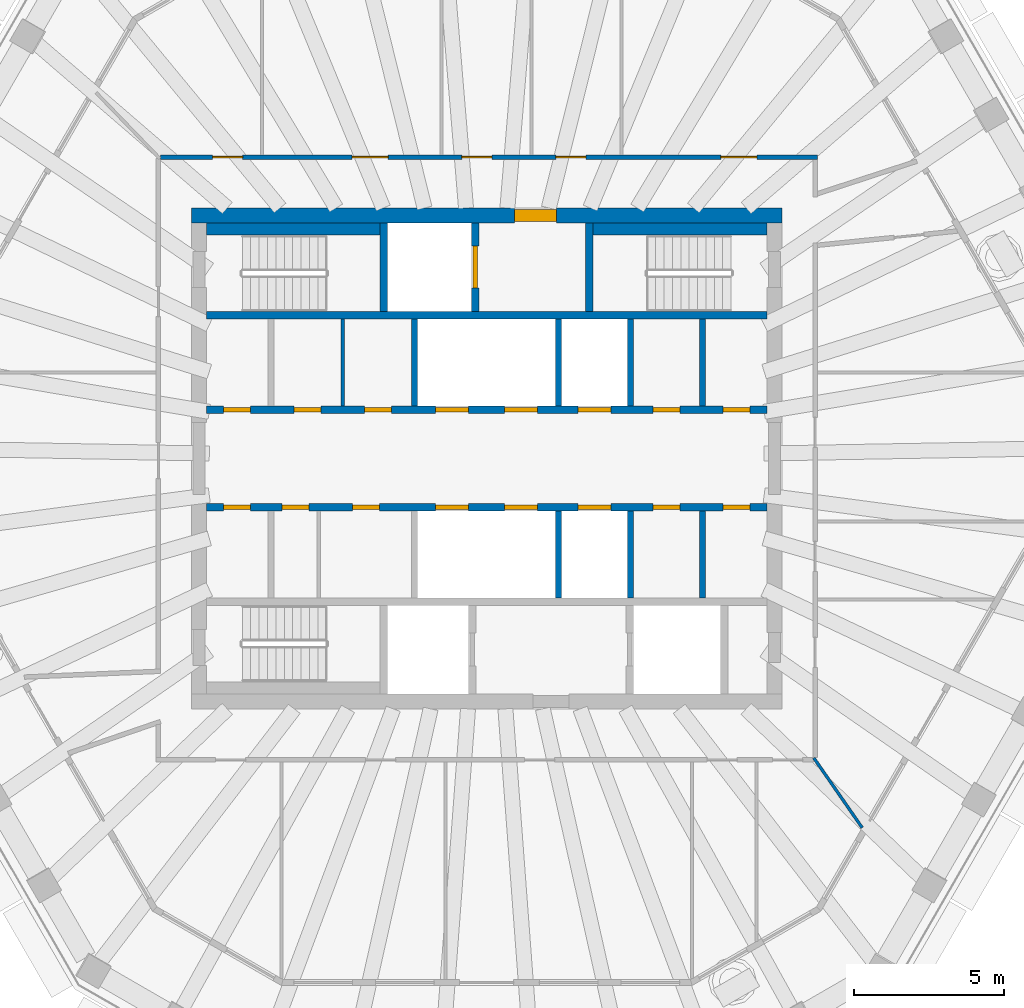
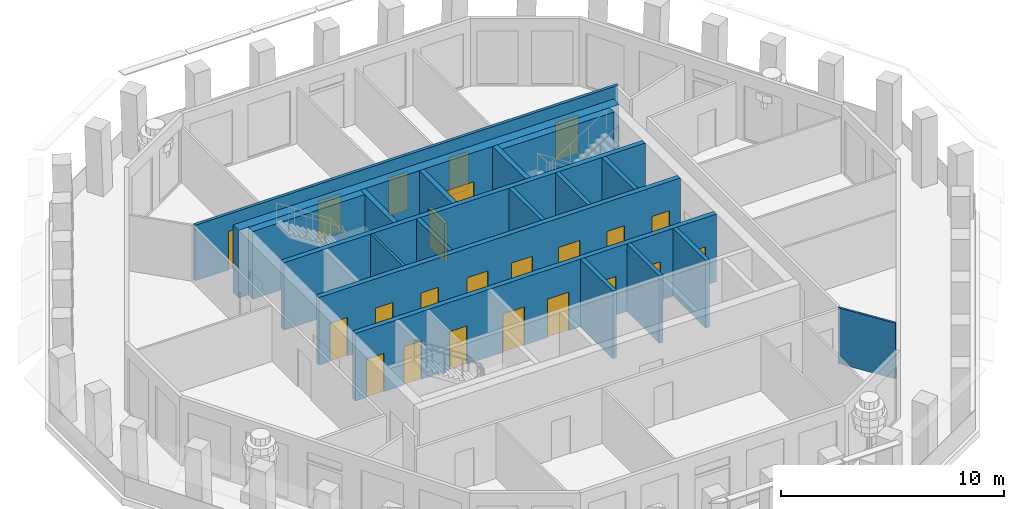
# One storey, part 5 of 11: 23 doors, 19 walls, 23 openings.
"""IFC4 building model written with IfcOpenShell, lengths in metres."""

from ifc_helpers import new_model, si_unit, direction, frame, frame_2d, origin, place, context, subcontext, project, spatial, rectangle, extrude, material, layer, layer_set, type_object, element, fill, save


model = new_model("IFC4")

# Units and contexts
model_context = context("Model", 3, precision=1e-05, world=origin(), true_north=direction((0.0, 1.0)))
body_context = subcontext(model_context, "Body", "Model", "MODEL_VIEW")
ifc_project = project(units=[si_unit("LENGTHUNIT", "METRE"), si_unit("AREAUNIT", "SQUARE_METRE"), si_unit("VOLUMEUNIT", "CUBIC_METRE"), si_unit("PLANEANGLEUNIT", "RADIAN"), si_unit("MASSUNIT", "GRAM", prefix="KILO")], contexts=[model_context])

# Site, building, storey
site_placement = place(None, origin())
site = spatial("IfcSite", under=ifc_project, at=site_placement, CompositionType="ELEMENT")
building_placement = place(site_placement, origin())
building = spatial("IfcBuilding", under=site, at=building_placement, Name="Frailejon Research Tower", CompositionType="ELEMENT")
storey_placement = place(building_placement, frame((0.0, 0.0, 320.60009765625)))
storey = spatial("IfcBuildingStorey", under=building, at=storey_placement, Name="L71", CompositionType="ELEMENT", Elevation=320.60009765625)

# Wall
ifc_material_1 = material(Name="Plasterboard on steel studs", Category="steel")
ifc_layer_1 = layer(ifc_material_1, 0.125)
ifc_layer_set_1 = layer_set([ifc_layer_1], Name="Core partition 125")
wall_type_1 = type_object("IfcWallType", Name="Core partition 125", PredefinedType="PARTITIONING", material=ifc_layer_set_1)
wall_1_placement = place(storey_placement, frame((-4.800048828125, 1.75, 0.0), z_axis=(0.0, 0.0, 1.0), x_axis=(0.0, 1.0, 0.0)))
element("IfcWall", 1, at=wall_1_placement, inside=storey, type_object=wall_type_1, Name="Core partition", PredefinedType="PARTITIONING", context=body_context, shape_type="SweptSolid", body=[
    extrude(rectangle(XDim=2.89990234375, YDim=0.125, at=frame_2d((1.449951171875, 0.0))), origin(), (0.0, 0.0, 1.0), 3.699951171875),
])

# Wall, opening, door
ifc_material_2 = material(Name="Concrete C50/60", Category="concrete")
ifc_layer_2 = layer(ifc_material_2, 0.5)
ifc_layer_set_2 = layer_set([ifc_layer_2], Name="Core shear wall 500 C50/60")
wall_type_2 = type_object("IfcWallType", Name="Core shear wall 500 C50/60", PredefinedType="SHEAR", material=ifc_layer_set_2)
wall_2_placement = place(storey_placement, frame((-9.85009765625, 8.10009765625, 0.0), z_axis=(0.0, 0.0, 1.0), x_axis=(1.0, 0.0, 0.0)))
wall_2 = element("IfcWall", 2, at=wall_2_placement, inside=storey, type_object=wall_type_2, Name="Core shear wall", PredefinedType="SHEAR", context=body_context, shape_type="SweptSolid", body=[
    extrude(rectangle(XDim=19.7001953125, YDim=0.5, at=frame_2d((9.85009765625, 0.0))), origin(), (0.0, 0.0, 1.0), 3.699951171875),
])
opening_1_placement = place(wall_2_placement, frame((10.77490234375, 0.0, 0.0)))
opening_1 = element("IfcOpeningElement", 3, at=opening_1_placement, cuts=wall_2, Name="Opening D9", PredefinedType="OPENING", context=body_context, shape_type="SweptSolid", body=[
    extrude(rectangle(XDim=1.39990234375, YDim=2.10009765625, at=frame_2d((0.699951171875, 1.050048828125))), frame((0.0, 0.260009765625, 0.0), z_axis=(0.0, -1.0, 0.0), x_axis=(1.0, 0.0, 0.0)), (0.0, 0.0, 1.0), 0.52001953125),
])
ifc_material_3 = material(Name="Steel", Category="steel")
door_type_1 = type_object("IfcDoorType", Name="Goods lobby door", OperationType="DOUBLE_DOOR_SINGLE_SWING", PredefinedType="DOOR", material=ifc_material_3)
door_1_placement = place(opening_1_placement, origin())
door_1 = element("IfcDoor", 4, at=door_1_placement, inside=storey, type_object=door_type_1, Name="Goods lobby door", OperationType="DOUBLE_DOOR_SINGLE_SWING", OverallHeight=2.10009765625, OverallWidth=1.39990234375, PredefinedType="DOOR", context=body_context, shape_type="SweptSolid", body=[
    extrude(rectangle(XDim=1.39990234375, YDim=2.10009765625, at=frame_2d((0.699951171875, 1.050048828125))), frame((0.0, 0.199951171875, 0.0), z_axis=(0.0, -1.0, 0.0), x_axis=(1.0, 0.0, 0.0)), (0.0, 0.0, 1.0), 0.39990234375),
])
fill(opening_1, door_1)

# Wall, openings, doors
ifc_material_4 = material(Name="Gypsum board and masonry partition", Category="masonry")
ifc_layer_3 = layer(ifc_material_4, 0.14990234375)
ifc_layer_set_3 = layer_set([ifc_layer_3], Name="Corridor wall EI 60, gypsum on steel studs 150")
wall_type_3 = type_object("IfcWallType", Name="Corridor wall EI 60, gypsum on steel studs 150", PredefinedType="PARTITIONING", material=ifc_layer_set_3)
wall_3_placement = place(storey_placement, frame((-10.875, 10.050048828125, 0.0), z_axis=(0.0, 0.0, 1.0), x_axis=(1.0, 0.0, 0.0)))
wall_3 = element("IfcWall", 5, at=wall_3_placement, inside=storey, type_object=wall_type_3, Name="T:IW:L71:005", PredefinedType="PARTITIONING", context=body_context, shape_type="SweptSolid", body=[
    extrude(rectangle(XDim=21.89990234375, YDim=0.14990234375, at=frame_2d((10.949951171875, 0.0))), origin(), (0.0, 0.0, 1.0), 3.0498046875),
])
opening_2_placement = place(wall_3_placement, frame((18.682373046875, 0.0, 0.0)))
opening_2 = element("IfcOpeningElement", 6, at=opening_2_placement, cuts=wall_3, Name="Opening D2334", PredefinedType="OPENING", context=body_context, shape_type="SweptSolid", body=[
    extrude(rectangle(XDim=1.199951171875, YDim=2.10009765625, at=frame_2d((0.60009765625, 1.050048828125))), frame((0.0, 0.0849609375, 0.0), z_axis=(0.0, -1.0, 0.0), x_axis=(1.0, 0.0, 0.0)), (0.0, 0.0, 1.0), 0.169921875),
])
opening_3_placement = place(wall_3_placement, frame((13.1796875, 0.0, 0.0)))
opening_3 = element("IfcOpeningElement", 7, at=opening_3_placement, cuts=wall_3, Name="Opening D2335", PredefinedType="OPENING", context=body_context, shape_type="SweptSolid", body=[
    extrude(rectangle(XDim=1.0, YDim=2.10009765625, at=frame_2d((0.5, 1.050048828125))), frame((0.0, 0.0849609375, 0.0), z_axis=(0.0, -1.0, 0.0), x_axis=(1.0, 0.0, 0.0)), (0.0, 0.0, 1.0), 0.169921875),
])
opening_4_placement = place(wall_3_placement, frame((10.050048828125, 0.0, 0.0)))
opening_4 = element("IfcOpeningElement", 8, at=opening_4_placement, cuts=wall_3, Name="Opening D2336", PredefinedType="OPENING", context=body_context, shape_type="SweptSolid", body=[
    extrude(rectangle(XDim=1.0, YDim=2.10009765625, at=frame_2d((0.5, 1.050048828125))), frame((0.0, 0.0849609375, 0.0), z_axis=(0.0, -1.0, 0.0), x_axis=(1.0, 0.0, 0.0)), (0.0, 0.0, 1.0), 0.169921875),
])
opening_5_placement = place(wall_3_placement, frame((6.390380859375, 0.0, 0.0)))
opening_5 = element("IfcOpeningElement", 9, at=opening_5_placement, cuts=wall_3, Name="Opening D2337", PredefinedType="OPENING", context=body_context, shape_type="SweptSolid", body=[
    extrude(rectangle(XDim=1.199951171875, YDim=2.10009765625, at=frame_2d((0.60009765625, 1.050048828125))), frame((0.0, 0.0849609375, 0.0), z_axis=(0.0, -1.0, 0.0), x_axis=(1.0, 0.0, 0.0)), (0.0, 0.0, 1.0), 0.169921875),
])
opening_6_placement = place(wall_3_placement, frame((1.7333984375, 0.0, 0.0)))
opening_6 = element("IfcOpeningElement", 10, at=opening_6_placement, cuts=wall_3, Name="Opening D2338", PredefinedType="OPENING", context=body_context, shape_type="SweptSolid", body=[
    extrude(rectangle(XDim=1.0, YDim=2.10009765625, at=frame_2d((0.5, 1.050048828125))), frame((0.0, 0.0849609375, 0.0), z_axis=(0.0, -1.0, 0.0), x_axis=(1.0, 0.0, 0.0)), (0.0, 0.0, 1.0), 0.169921875),
])
ifc_material_5 = material(Name="Timber door leaf", Category="wood")
door_type_2 = type_object("IfcDoorType", Name="Door single leaf, timber, steel frame 1000", OperationType="NOTDEFINED", PredefinedType="DOOR", material=ifc_material_5)
door_2_placement = place(opening_3_placement, origin())
door_2 = element("IfcDoor", 11, at=door_2_placement, inside=storey, type_object=door_type_2, Name="D2335", OperationType="SINGLE_SWING_RIGHT", OverallHeight=2.10009765625, OverallWidth=1.0, PredefinedType="DOOR", context=body_context, shape_type="SweptSolid", body=[
    extrude(rectangle(XDim=1.0, YDim=2.10009765625, at=frame_2d((0.5, 1.050048828125))), frame((0.0, 0.02490234375, 0.0), z_axis=(0.0, -1.0, 0.0), x_axis=(1.0, 0.0, 0.0)), (0.0, 0.0, 1.0), 0.050048828125),
])
fill(opening_3, door_2)
door_3_placement = place(opening_4_placement, origin())
door_3 = element("IfcDoor", 12, at=door_3_placement, inside=storey, type_object=door_type_2, Name="D2336", OperationType="SINGLE_SWING_LEFT", OverallHeight=2.10009765625, OverallWidth=1.0, PredefinedType="DOOR", context=body_context, shape_type="SweptSolid", body=[
    extrude(rectangle(XDim=1.0, YDim=2.10009765625, at=frame_2d((0.5, 1.050048828125))), frame((0.0, 0.02490234375, 0.0), z_axis=(0.0, -1.0, 0.0), x_axis=(1.0, 0.0, 0.0)), (0.0, 0.0, 1.0), 0.050048828125),
])
fill(opening_4, door_3)
door_4_placement = place(opening_6_placement, origin())
door_4 = element("IfcDoor", 13, at=door_4_placement, inside=storey, type_object=door_type_2, Name="D2338", OperationType="SINGLE_SWING_RIGHT", OverallHeight=2.10009765625, OverallWidth=1.0, PredefinedType="DOOR", context=body_context, shape_type="SweptSolid", body=[
    extrude(rectangle(XDim=1.0, YDim=2.10009765625, at=frame_2d((0.5, 1.050048828125))), frame((0.0, 0.02490234375, 0.0), z_axis=(0.0, -1.0, 0.0), x_axis=(1.0, 0.0, 0.0)), (0.0, 0.0, 1.0), 0.050048828125),
])
fill(opening_6, door_4)
ifc_material_6 = material(Name="Timber door leaf", Category="wood")
door_type_3 = type_object("IfcDoorType", Name="Door single leaf, timber, steel frame 1200", OperationType="NOTDEFINED", PredefinedType="DOOR", material=ifc_material_6)
door_5_placement = place(opening_2_placement, origin())
door_5 = element("IfcDoor", 14, at=door_5_placement, inside=storey, type_object=door_type_3, Name="D2334", OperationType="DOUBLE_DOOR_SINGLE_SWING", OverallHeight=2.10009765625, OverallWidth=1.199951171875, PredefinedType="DOOR", context=body_context, shape_type="SweptSolid", body=[
    extrude(rectangle(XDim=1.199951171875, YDim=2.10009765625, at=frame_2d((0.60009765625, 1.050048828125))), frame((0.0, 0.02490234375, 0.0), z_axis=(0.0, -1.0, 0.0), x_axis=(1.0, 0.0, 0.0)), (0.0, 0.0, 1.0), 0.050048828125),
])
fill(opening_2, door_5)
door_6_placement = place(opening_5_placement, origin())
door_6 = element("IfcDoor", 15, at=door_6_placement, inside=storey, type_object=door_type_3, Name="D2337", OperationType="DOUBLE_DOOR_SINGLE_SWING", OverallHeight=2.10009765625, OverallWidth=1.199951171875, PredefinedType="DOOR", context=body_context, shape_type="SweptSolid", body=[
    extrude(rectangle(XDim=1.199951171875, YDim=2.10009765625, at=frame_2d((0.60009765625, 1.050048828125))), frame((0.0, 0.02490234375, 0.0), z_axis=(0.0, -1.0, 0.0), x_axis=(1.0, 0.0, 0.0)), (0.0, 0.0, 1.0), 0.050048828125),
])
fill(opening_5, door_6)

# Walls
ifc_material_7 = material(Name="Gypsum board and masonry partition", Category="masonry")
ifc_layer_4 = layer(ifc_material_7, 0.10009765625)
ifc_layer_set_4 = layer_set([ifc_layer_4], Name="Partition, gypsum on steel studs 100")
wall_type_4 = type_object("IfcWallType", Name="Partition, gypsum on steel studs 100", PredefinedType="PARTITIONING", material=ifc_layer_set_4)
wall_4_placement = place(storey_placement, frame((10.9072265625, -9.98828125, 0.0), z_axis=(0.0, 0.0, 1.0), x_axis=(0.569694197759, -0.821856752141, 0.0)))
element("IfcWall", 16, at=wall_4_placement, inside=storey, type_object=wall_type_4, Name="T:IW:L71:023", PredefinedType="PARTITIONING", context=body_context, shape_type="SweptSolid", body=[
    extrude(rectangle(XDim=2.8310546875, YDim=0.10009765625, at=frame_2d((1.41552734375, 0.0))), origin(), (0.0, 0.0, 1.0), 3.0498046875),
])
ifc_material_8 = material(Name="Concrete C50/60", Category="concrete")
ifc_layer_5 = layer(ifc_material_8, 0.199951171875)
ifc_layer_set_5 = layer_set([ifc_layer_5], Name="Shaft wall 200 C50/60")
wall_type_5 = type_object("IfcWallType", Name="Shaft wall 200 C50/60", PredefinedType="SOLIDWALL", material=ifc_layer_set_5)
for number, where, z_axis, x_axis, name in (
    (17, (-2.39990234375, 1.75, 0.0), (0.0, 0.0, 1.0), (0.0, 1.0, 0.0), "Shaft wall"),
    (18, (2.39990234375, 1.75, 0.0), (0.0, 0.0, 1.0), (0.0, 1.0, 0.0), "Shaft wall"),
    (19, (4.800048828125, 1.75, 0.0), (0.0, 0.0, 1.0), (0.0, 1.0, 0.0), "Shaft wall"),
    (20, (7.199951171875, 1.75, 0.0), (0.0, 0.0, 1.0), (0.0, 1.0, 0.0), "Shaft wall"),
    (21, (2.39990234375, -4.64990234375, 0.0), (0.0, 0.0, 1.0), (0.0, 1.0, 0.0), "Shaft wall"),
    (22, (4.800048828125, -4.64990234375, 0.0), (0.0, 0.0, 1.0), (0.0, 1.0, 0.0), "Shaft wall"),
    (23, (7.199951171875, -4.64990234375, 0.0), (0.0, 0.0, 1.0), (0.0, 1.0, 0.0), "Shaft wall"),
):
    element("IfcWall", number, at=place(storey_placement, frame(where, z_axis=z_axis, x_axis=x_axis)), inside=storey, type_object=wall_type_5, Name=name, PredefinedType="SOLIDWALL", context=body_context, shape_type="SweptSolid", body=[
        extrude(rectangle(XDim=2.89990234375, YDim=0.199951171875, at=frame_2d((1.449951171875, 0.0))), origin(), (0.0, 0.0, 1.0), 3.699951171875),
    ])

# Wall, openings, doors
ifc_material_9 = material(Name="Concrete C50/60", Category="concrete")
ifc_layer_6 = layer(ifc_material_9, 0.25)
ifc_layer_set_6 = layer_set([ifc_layer_6], Name="Shaft wall 250 C50/60")
wall_type_6 = type_object("IfcWallType", Name="Shaft wall 250 C50/60", PredefinedType="SOLIDWALL", material=ifc_layer_set_6)
wall_5_placement = place(storey_placement, frame((-9.35009765625, 1.625, 0.0), z_axis=(0.0, 0.0, 1.0), x_axis=(1.0, 0.0, 0.0)))
wall_5 = element("IfcWall", 24, at=wall_5_placement, inside=storey, type_object=wall_type_6, Name="Shaft wall", PredefinedType="SOLIDWALL", context=body_context, shape_type="SweptSolid", body=[
    extrude(rectangle(XDim=18.7001953125, YDim=0.25, at=frame_2d((9.35009765625, 0.0))), origin(), (0.0, 0.0, 1.0), 3.699951171875),
])
opening_7_placement = place(wall_5_placement, frame((7.64990234375, 0.0, 0.0)))
opening_7 = element("IfcOpeningElement", 25, at=opening_7_placement, cuts=wall_5, Name="Opening LD", PredefinedType="OPENING", context=body_context, shape_type="SweptSolid", body=[
    extrude(rectangle(XDim=1.10009765625, YDim=2.10009765625, at=frame_2d((0.550048828125, 1.050048828125))), frame((0.0, 0.135009765625, 0.0), z_axis=(0.0, -1.0, 0.0), x_axis=(1.0, 0.0, 0.0)), (0.0, 0.0, 1.0), 0.27001953125),
])
opening_8_placement = place(wall_5_placement, frame((9.949951171875, 0.0, 0.0)))
opening_8 = element("IfcOpeningElement", 26, at=opening_8_placement, cuts=wall_5, Name="Opening LD", PredefinedType="OPENING", context=body_context, shape_type="SweptSolid", body=[
    extrude(rectangle(XDim=1.10009765625, YDim=2.10009765625, at=frame_2d((0.550048828125, 1.050048828125))), frame((0.0, 0.135009765625, 0.0), z_axis=(0.0, -1.0, 0.0), x_axis=(1.0, 0.0, 0.0)), (0.0, 0.0, 1.0), 0.27001953125),
])
opening_9_placement = place(wall_5_placement, frame((12.39990234375, 0.0, 0.0)))
opening_9 = element("IfcOpeningElement", 27, at=opening_9_placement, cuts=wall_5, Name="Opening LD", PredefinedType="OPENING", context=body_context, shape_type="SweptSolid", body=[
    extrude(rectangle(XDim=1.10009765625, YDim=2.10009765625, at=frame_2d((0.550048828125, 1.050048828125))), frame((0.0, 0.135009765625, 0.0), z_axis=(0.0, -1.0, 0.0), x_axis=(1.0, 0.0, 0.0)), (0.0, 0.0, 1.0), 0.27001953125),
])
opening_10_placement = place(wall_5_placement, frame((0.574951171875, 0.0, 0.0)))
opening_10 = element("IfcOpeningElement", 28, at=opening_10_placement, cuts=wall_5, Name="Opening D8", PredefinedType="OPENING", context=body_context, shape_type="SweptSolid", body=[
    extrude(rectangle(XDim=0.89990234375, YDim=2.10009765625, at=frame_2d((0.449951171875, 1.050048828125))), frame((0.0, 0.135009765625, 0.0), z_axis=(0.0, -1.0, 0.0), x_axis=(1.0, 0.0, 0.0)), (0.0, 0.0, 1.0), 0.27001953125),
])
opening_11_placement = place(wall_5_placement, frame((2.918701171875, 0.0, 0.0)))
opening_11 = element("IfcOpeningElement", 29, at=opening_11_placement, cuts=wall_5, Name="Opening D8", PredefinedType="OPENING", context=body_context, shape_type="SweptSolid", body=[
    extrude(rectangle(XDim=0.89990234375, YDim=2.10009765625, at=frame_2d((0.449951171875, 1.050048828125))), frame((0.0, 0.135009765625, 0.0), z_axis=(0.0, -1.0, 0.0), x_axis=(1.0, 0.0, 0.0)), (0.0, 0.0, 1.0), 0.27001953125),
])
opening_12_placement = place(wall_5_placement, frame((5.28125, 0.0, 0.0)))
opening_12 = element("IfcOpeningElement", 30, at=opening_12_placement, cuts=wall_5, Name="Opening D8", PredefinedType="OPENING", context=body_context, shape_type="SweptSolid", body=[
    extrude(rectangle(XDim=0.89990234375, YDim=2.10009765625, at=frame_2d((0.449951171875, 1.050048828125))), frame((0.0, 0.135009765625, 0.0), z_axis=(0.0, -1.0, 0.0), x_axis=(1.0, 0.0, 0.0)), (0.0, 0.0, 1.0), 0.27001953125),
])
opening_13_placement = place(wall_5_placement, frame((14.89990234375, 0.0, 0.0)))
opening_13 = element("IfcOpeningElement", 31, at=opening_13_placement, cuts=wall_5, Name="Opening D8", PredefinedType="OPENING", context=body_context, shape_type="SweptSolid", body=[
    extrude(rectangle(XDim=0.89990234375, YDim=2.10009765625, at=frame_2d((0.449951171875, 1.050048828125))), frame((0.0, 0.135009765625, 0.0), z_axis=(0.0, -1.0, 0.0), x_axis=(1.0, 0.0, 0.0)), (0.0, 0.0, 1.0), 0.27001953125),
])
opening_14_placement = place(wall_5_placement, frame((17.22509765625, 0.0, 0.0)))
opening_14 = element("IfcOpeningElement", 32, at=opening_14_placement, cuts=wall_5, Name="Opening D8", PredefinedType="OPENING", context=body_context, shape_type="SweptSolid", body=[
    extrude(rectangle(XDim=0.89990234375, YDim=2.10009765625, at=frame_2d((0.449951171875, 1.050048828125))), frame((0.0, 0.135009765625, 0.0), z_axis=(0.0, -1.0, 0.0), x_axis=(1.0, 0.0, 0.0)), (0.0, 0.0, 1.0), 0.27001953125),
])
ifc_material_10 = material(Name="Steel", Category="steel")
door_type_4 = type_object("IfcDoorType", Name="Core room door", OperationType="SINGLE_SWING_LEFT", PredefinedType="DOOR", material=ifc_material_10)
door_7_placement = place(opening_10_placement, origin())
door_7 = element("IfcDoor", 33, at=door_7_placement, inside=storey, type_object=door_type_4, Name="Room door", OperationType="SINGLE_SWING_RIGHT", OverallHeight=2.10009765625, OverallWidth=0.89990234375, PredefinedType="DOOR", context=body_context, shape_type="SweptSolid", body=[
    extrude(rectangle(XDim=0.89990234375, YDim=2.10009765625, at=frame_2d((0.449951171875, 1.050048828125))), frame((0.0, 0.074951171875, 0.0), z_axis=(0.0, -1.0, 0.0), x_axis=(1.0, 0.0, 0.0)), (0.0, 0.0, 1.0), 0.14990234375),
])
fill(opening_10, door_7)
door_8_placement = place(opening_11_placement, origin())
door_8 = element("IfcDoor", 34, at=door_8_placement, inside=storey, type_object=door_type_4, Name="Room door", OperationType="SINGLE_SWING_LEFT", OverallHeight=2.10009765625, OverallWidth=0.89990234375, PredefinedType="DOOR", context=body_context, shape_type="SweptSolid", body=[
    extrude(rectangle(XDim=0.89990234375, YDim=2.10009765625, at=frame_2d((0.449951171875, 1.050048828125))), frame((0.0, 0.074951171875, 0.0), z_axis=(0.0, -1.0, 0.0), x_axis=(1.0, 0.0, 0.0)), (0.0, 0.0, 1.0), 0.14990234375),
])
fill(opening_11, door_8)
door_9_placement = place(opening_12_placement, origin())
door_9 = element("IfcDoor", 35, at=door_9_placement, inside=storey, type_object=door_type_4, Name="Room door", OperationType="SINGLE_SWING_RIGHT", OverallHeight=2.10009765625, OverallWidth=0.89990234375, PredefinedType="DOOR", context=body_context, shape_type="SweptSolid", body=[
    extrude(rectangle(XDim=0.89990234375, YDim=2.10009765625, at=frame_2d((0.449951171875, 1.050048828125))), frame((0.0, 0.074951171875, 0.0), z_axis=(0.0, -1.0, 0.0), x_axis=(1.0, 0.0, 0.0)), (0.0, 0.0, 1.0), 0.14990234375),
])
fill(opening_12, door_9)
door_10_placement = place(opening_13_placement, origin())
door_10 = element("IfcDoor", 36, at=door_10_placement, inside=storey, type_object=door_type_4, Name="Room door", OperationType="SINGLE_SWING_LEFT", OverallHeight=2.10009765625, OverallWidth=0.89990234375, PredefinedType="DOOR", context=body_context, shape_type="SweptSolid", body=[
    extrude(rectangle(XDim=0.89990234375, YDim=2.10009765625, at=frame_2d((0.449951171875, 1.050048828125))), frame((0.0, 0.074951171875, 0.0), z_axis=(0.0, -1.0, 0.0), x_axis=(1.0, 0.0, 0.0)), (0.0, 0.0, 1.0), 0.14990234375),
])
fill(opening_13, door_10)
door_11_placement = place(opening_14_placement, origin())
door_11 = element("IfcDoor", 37, at=door_11_placement, inside=storey, type_object=door_type_4, Name="Room door", OperationType="SINGLE_SWING_RIGHT", OverallHeight=2.10009765625, OverallWidth=0.89990234375, PredefinedType="DOOR", context=body_context, shape_type="SweptSolid", body=[
    extrude(rectangle(XDim=0.89990234375, YDim=2.10009765625, at=frame_2d((0.449951171875, 1.050048828125))), frame((0.0, 0.074951171875, 0.0), z_axis=(0.0, -1.0, 0.0), x_axis=(1.0, 0.0, 0.0)), (0.0, 0.0, 1.0), 0.14990234375),
])
fill(opening_14, door_11)
ifc_material_11 = material(Name="Steel", Category="steel")
door_type_5 = type_object("IfcDoorType", Name="Lift landing door", OperationType="DOUBLE_DOOR_SLIDING", PredefinedType="DOOR", material=ifc_material_11)
door_12_placement = place(opening_7_placement, origin())
door_12 = element("IfcDoor", 38, at=door_12_placement, inside=storey, type_object=door_type_5, Name="Lift landing door", OperationType="DOUBLE_DOOR_SLIDING", OverallHeight=2.10009765625, OverallWidth=1.10009765625, PredefinedType="DOOR", context=body_context, shape_type="SweptSolid", body=[
    extrude(rectangle(XDim=1.10009765625, YDim=2.10009765625, at=frame_2d((0.550048828125, 1.050048828125))), frame((0.0, 0.074951171875, 0.0), z_axis=(0.0, -1.0, 0.0), x_axis=(1.0, 0.0, 0.0)), (0.0, 0.0, 1.0), 0.14990234375),
])
fill(opening_7, door_12)
door_13_placement = place(opening_8_placement, origin())
door_13 = element("IfcDoor", 39, at=door_13_placement, inside=storey, type_object=door_type_5, Name="Lift landing door", OperationType="DOUBLE_DOOR_SLIDING", OverallHeight=2.10009765625, OverallWidth=1.10009765625, PredefinedType="DOOR", context=body_context, shape_type="SweptSolid", body=[
    extrude(rectangle(XDim=1.10009765625, YDim=2.10009765625, at=frame_2d((0.550048828125, 1.050048828125))), frame((0.0, 0.074951171875, 0.0), z_axis=(0.0, -1.0, 0.0), x_axis=(1.0, 0.0, 0.0)), (0.0, 0.0, 1.0), 0.14990234375),
])
fill(opening_8, door_13)
door_14_placement = place(opening_9_placement, origin())
door_14 = element("IfcDoor", 40, at=door_14_placement, inside=storey, type_object=door_type_5, Name="Lift landing door", OperationType="DOUBLE_DOOR_SLIDING", OverallHeight=2.10009765625, OverallWidth=1.10009765625, PredefinedType="DOOR", context=body_context, shape_type="SweptSolid", body=[
    extrude(rectangle(XDim=1.10009765625, YDim=2.10009765625, at=frame_2d((0.550048828125, 1.050048828125))), frame((0.0, 0.074951171875, 0.0), z_axis=(0.0, -1.0, 0.0), x_axis=(1.0, 0.0, 0.0)), (0.0, 0.0, 1.0), 0.14990234375),
])
fill(opening_9, door_14)

# Wall
wall_6_placement = place(storey_placement, frame((-9.35009765625, 4.77490234375, 0.0), z_axis=(0.0, 0.0, 1.0), x_axis=(1.0, 0.0, 0.0)))
element("IfcWall", 41, at=wall_6_placement, inside=storey, type_object=wall_type_6, Name="Shaft wall", PredefinedType="SOLIDWALL", context=body_context, shape_type="SweptSolid", body=[
    extrude(rectangle(XDim=18.7001953125, YDim=0.25, at=frame_2d((9.35009765625, 0.0))), origin(), (0.0, 0.0, 1.0), 3.699951171875),
])

# Wall, openings, doors
wall_7_placement = place(storey_placement, frame((-9.35009765625, -1.625, 0.0), z_axis=(0.0, 0.0, 1.0), x_axis=(1.0, 0.0, 0.0)))
wall_7 = element("IfcWall", 42, at=wall_7_placement, inside=storey, type_object=wall_type_6, Name="Shaft wall", PredefinedType="SOLIDWALL", context=body_context, shape_type="SweptSolid", body=[
    extrude(rectangle(XDim=18.7001953125, YDim=0.25, at=frame_2d((9.35009765625, 0.0))), origin(), (0.0, 0.0, 1.0), 3.699951171875),
])
opening_15_placement = place(wall_7_placement, frame((7.64990234375, 0.0, 0.0)))
opening_15 = element("IfcOpeningElement", 43, at=opening_15_placement, cuts=wall_7, Name="Opening LD", PredefinedType="OPENING", context=body_context, shape_type="SweptSolid", body=[
    extrude(rectangle(XDim=1.10009765625, YDim=2.10009765625, at=frame_2d((0.550048828125, 1.050048828125))), frame((0.0, 0.135009765625, 0.0), z_axis=(0.0, -1.0, 0.0), x_axis=(1.0, 0.0, 0.0)), (0.0, 0.0, 1.0), 0.27001953125),
])
opening_16_placement = place(wall_7_placement, frame((9.949951171875, 0.0, 0.0)))
opening_16 = element("IfcOpeningElement", 44, at=opening_16_placement, cuts=wall_7, Name="Opening LD", PredefinedType="OPENING", context=body_context, shape_type="SweptSolid", body=[
    extrude(rectangle(XDim=1.10009765625, YDim=2.10009765625, at=frame_2d((0.550048828125, 1.050048828125))), frame((0.0, 0.135009765625, 0.0), z_axis=(0.0, -1.0, 0.0), x_axis=(1.0, 0.0, 0.0)), (0.0, 0.0, 1.0), 0.27001953125),
])
opening_17_placement = place(wall_7_placement, frame((12.39990234375, 0.0, 0.0)))
opening_17 = element("IfcOpeningElement", 45, at=opening_17_placement, cuts=wall_7, Name="Opening LD", PredefinedType="OPENING", context=body_context, shape_type="SweptSolid", body=[
    extrude(rectangle(XDim=1.10009765625, YDim=2.10009765625, at=frame_2d((0.550048828125, 1.050048828125))), frame((0.0, 0.135009765625, 0.0), z_axis=(0.0, -1.0, 0.0), x_axis=(1.0, 0.0, 0.0)), (0.0, 0.0, 1.0), 0.27001953125),
])
opening_18_placement = place(wall_7_placement, frame((0.574951171875, 0.0, 0.0)))
opening_18 = element("IfcOpeningElement", 46, at=opening_18_placement, cuts=wall_7, Name="Opening D8", PredefinedType="OPENING", context=body_context, shape_type="SweptSolid", body=[
    extrude(rectangle(XDim=0.89990234375, YDim=2.10009765625, at=frame_2d((0.449951171875, 1.050048828125))), frame((0.0, 0.135009765625, 0.0), z_axis=(0.0, -1.0, 0.0), x_axis=(1.0, 0.0, 0.0)), (0.0, 0.0, 1.0), 0.27001953125),
])
opening_19_placement = place(wall_7_placement, frame((2.518798828125, 0.0, 0.0)))
opening_19 = element("IfcOpeningElement", 47, at=opening_19_placement, cuts=wall_7, Name="Opening D8", PredefinedType="OPENING", context=body_context, shape_type="SweptSolid", body=[
    extrude(rectangle(XDim=0.89990234375, YDim=2.10009765625, at=frame_2d((0.449951171875, 1.050048828125))), frame((0.0, 0.135009765625, 0.0), z_axis=(0.0, -1.0, 0.0), x_axis=(1.0, 0.0, 0.0)), (0.0, 0.0, 1.0), 0.27001953125),
])
opening_20_placement = place(wall_7_placement, frame((4.881103515625, 0.0, 0.0)))
opening_20 = element("IfcOpeningElement", 48, at=opening_20_placement, cuts=wall_7, Name="Opening D8", PredefinedType="OPENING", context=body_context, shape_type="SweptSolid", body=[
    extrude(rectangle(XDim=0.89990234375, YDim=2.10009765625, at=frame_2d((0.449951171875, 1.050048828125))), frame((0.0, 0.135009765625, 0.0), z_axis=(0.0, -1.0, 0.0), x_axis=(1.0, 0.0, 0.0)), (0.0, 0.0, 1.0), 0.27001953125),
])
opening_21_placement = place(wall_7_placement, frame((14.89990234375, 0.0, 0.0)))
opening_21 = element("IfcOpeningElement", 49, at=opening_21_placement, cuts=wall_7, Name="Opening D8", PredefinedType="OPENING", context=body_context, shape_type="SweptSolid", body=[
    extrude(rectangle(XDim=0.89990234375, YDim=2.10009765625, at=frame_2d((0.449951171875, 1.050048828125))), frame((0.0, 0.135009765625, 0.0), z_axis=(0.0, -1.0, 0.0), x_axis=(1.0, 0.0, 0.0)), (0.0, 0.0, 1.0), 0.27001953125),
])
opening_22_placement = place(wall_7_placement, frame((17.22509765625, 0.0, 0.0)))
opening_22 = element("IfcOpeningElement", 50, at=opening_22_placement, cuts=wall_7, Name="Opening D8", PredefinedType="OPENING", context=body_context, shape_type="SweptSolid", body=[
    extrude(rectangle(XDim=0.89990234375, YDim=2.10009765625, at=frame_2d((0.449951171875, 1.050048828125))), frame((0.0, 0.135009765625, 0.0), z_axis=(0.0, -1.0, 0.0), x_axis=(1.0, 0.0, 0.0)), (0.0, 0.0, 1.0), 0.27001953125),
])
door_15_placement = place(opening_18_placement, origin())
door_15 = element("IfcDoor", 51, at=door_15_placement, inside=storey, type_object=door_type_4, Name="Room door", OperationType="SINGLE_SWING_LEFT", OverallHeight=2.10009765625, OverallWidth=0.89990234375, PredefinedType="DOOR", context=body_context, shape_type="SweptSolid", body=[
    extrude(rectangle(XDim=0.89990234375, YDim=2.10009765625, at=frame_2d((0.449951171875, 1.050048828125))), frame((0.0, 0.074951171875, 0.0), z_axis=(0.0, -1.0, 0.0), x_axis=(1.0, 0.0, 0.0)), (0.0, 0.0, 1.0), 0.14990234375),
])
fill(opening_18, door_15)
door_16_placement = place(opening_19_placement, origin())
door_16 = element("IfcDoor", 52, at=door_16_placement, inside=storey, type_object=door_type_4, Name="Room door", OperationType="SINGLE_SWING_RIGHT", OverallHeight=2.10009765625, OverallWidth=0.89990234375, PredefinedType="DOOR", context=body_context, shape_type="SweptSolid", body=[
    extrude(rectangle(XDim=0.89990234375, YDim=2.10009765625, at=frame_2d((0.449951171875, 1.050048828125))), frame((0.0, 0.074951171875, 0.0), z_axis=(0.0, -1.0, 0.0), x_axis=(1.0, 0.0, 0.0)), (0.0, 0.0, 1.0), 0.14990234375),
])
fill(opening_19, door_16)
door_17_placement = place(opening_20_placement, origin())
door_17 = element("IfcDoor", 53, at=door_17_placement, inside=storey, type_object=door_type_4, Name="Room door", OperationType="SINGLE_SWING_LEFT", OverallHeight=2.10009765625, OverallWidth=0.89990234375, PredefinedType="DOOR", context=body_context, shape_type="SweptSolid", body=[
    extrude(rectangle(XDim=0.89990234375, YDim=2.10009765625, at=frame_2d((0.449951171875, 1.050048828125))), frame((0.0, 0.074951171875, 0.0), z_axis=(0.0, -1.0, 0.0), x_axis=(1.0, 0.0, 0.0)), (0.0, 0.0, 1.0), 0.14990234375),
])
fill(opening_20, door_17)
door_18_placement = place(opening_21_placement, origin())
door_18 = element("IfcDoor", 54, at=door_18_placement, inside=storey, type_object=door_type_4, Name="Room door", OperationType="SINGLE_SWING_RIGHT", OverallHeight=2.10009765625, OverallWidth=0.89990234375, PredefinedType="DOOR", context=body_context, shape_type="SweptSolid", body=[
    extrude(rectangle(XDim=0.89990234375, YDim=2.10009765625, at=frame_2d((0.449951171875, 1.050048828125))), frame((0.0, 0.074951171875, 0.0), z_axis=(0.0, -1.0, 0.0), x_axis=(1.0, 0.0, 0.0)), (0.0, 0.0, 1.0), 0.14990234375),
])
fill(opening_21, door_18)
door_19_placement = place(opening_22_placement, origin())
door_19 = element("IfcDoor", 55, at=door_19_placement, inside=storey, type_object=door_type_4, Name="Room door", OperationType="SINGLE_SWING_LEFT", OverallHeight=2.10009765625, OverallWidth=0.89990234375, PredefinedType="DOOR", context=body_context, shape_type="SweptSolid", body=[
    extrude(rectangle(XDim=0.89990234375, YDim=2.10009765625, at=frame_2d((0.449951171875, 1.050048828125))), frame((0.0, 0.074951171875, 0.0), z_axis=(0.0, -1.0, 0.0), x_axis=(1.0, 0.0, 0.0)), (0.0, 0.0, 1.0), 0.14990234375),
])
fill(opening_22, door_19)
door_20_placement = place(opening_15_placement, origin())
door_20 = element("IfcDoor", 56, at=door_20_placement, inside=storey, type_object=door_type_5, Name="Lift landing door", OperationType="DOUBLE_DOOR_SLIDING", OverallHeight=2.10009765625, OverallWidth=1.10009765625, PredefinedType="DOOR", context=body_context, shape_type="SweptSolid", body=[
    extrude(rectangle(XDim=1.10009765625, YDim=2.10009765625, at=frame_2d((0.550048828125, 1.050048828125))), frame((0.0, 0.074951171875, 0.0), z_axis=(0.0, -1.0, 0.0), x_axis=(1.0, 0.0, 0.0)), (0.0, 0.0, 1.0), 0.14990234375),
])
fill(opening_15, door_20)
door_21_placement = place(opening_16_placement, origin())
door_21 = element("IfcDoor", 57, at=door_21_placement, inside=storey, type_object=door_type_5, Name="Lift landing door", OperationType="DOUBLE_DOOR_SLIDING", OverallHeight=2.10009765625, OverallWidth=1.10009765625, PredefinedType="DOOR", context=body_context, shape_type="SweptSolid", body=[
    extrude(rectangle(XDim=1.10009765625, YDim=2.10009765625, at=frame_2d((0.550048828125, 1.050048828125))), frame((0.0, 0.074951171875, 0.0), z_axis=(0.0, -1.0, 0.0), x_axis=(1.0, 0.0, 0.0)), (0.0, 0.0, 1.0), 0.14990234375),
])
fill(opening_16, door_21)
door_22_placement = place(opening_17_placement, origin())
door_22 = element("IfcDoor", 58, at=door_22_placement, inside=storey, type_object=door_type_5, Name="Lift landing door", OperationType="DOUBLE_DOOR_SLIDING", OverallHeight=2.10009765625, OverallWidth=1.10009765625, PredefinedType="DOOR", context=body_context, shape_type="SweptSolid", body=[
    extrude(rectangle(XDim=1.10009765625, YDim=2.10009765625, at=frame_2d((0.550048828125, 1.050048828125))), frame((0.0, 0.074951171875, 0.0), z_axis=(0.0, -1.0, 0.0), x_axis=(1.0, 0.0, 0.0)), (0.0, 0.0, 1.0), 0.14990234375),
])
fill(opening_17, door_22)

# Wall
wall_8_placement = place(storey_placement, frame((-3.425048828125, 4.89990234375, 0.0), z_axis=(0.0, 0.0, 1.0), x_axis=(0.0, 1.0, 0.0)))
element("IfcWall", 59, at=wall_8_placement, inside=storey, type_object=wall_type_6, Name="Shaft wall", PredefinedType="SOLIDWALL", context=body_context, shape_type="SweptSolid", body=[
    extrude(rectangle(XDim=2.9501953125, YDim=0.25, at=frame_2d((1.47509765625, 0.0))), origin(), (0.0, 0.0, 1.0), 3.699951171875),
])

# Wall, opening, door
wall_9_placement = place(storey_placement, frame((-0.375, 4.89990234375, 0.0), z_axis=(0.0, 0.0, 1.0), x_axis=(0.0, 1.0, 0.0)))
wall_9 = element("IfcWall", 60, at=wall_9_placement, inside=storey, type_object=wall_type_6, Name="Shaft wall", PredefinedType="SOLIDWALL", context=body_context, shape_type="SweptSolid", body=[
    extrude(rectangle(XDim=2.9501953125, YDim=0.25, at=frame_2d((1.47509765625, 0.0))), origin(), (0.0, 0.0, 1.0), 3.699951171875),
])
opening_23_placement = place(wall_9_placement, frame((0.77490234375, 0.0, 0.0)))
opening_23 = element("IfcOpeningElement", 61, at=opening_23_placement, cuts=wall_9, Name="Opening LD2", PredefinedType="OPENING", context=body_context, shape_type="SweptSolid", body=[
    extrude(rectangle(XDim=1.39990234375, YDim=2.10009765625, at=frame_2d((0.699951171875, 1.050048828125))), frame((0.0, 0.135009765625, 0.0), z_axis=(0.0, -1.0, 0.0), x_axis=(1.0, 0.0, 0.0)), (0.0, 0.0, 1.0), 0.27001953125),
])
ifc_material_12 = material(Name="Stainless steel", Category="steel")
door_type_6 = type_object("IfcDoorType", Name="Goods landing door", OperationType="DOUBLE_DOOR_SLIDING", PredefinedType="DOOR", material=ifc_material_12)
door_23_placement = place(opening_23_placement, origin())
door_23 = element("IfcDoor", 62, at=door_23_placement, inside=storey, type_object=door_type_6, Name="Lift landing door", OperationType="DOUBLE_DOOR_SLIDING", OverallHeight=2.10009765625, OverallWidth=1.39990234375, PredefinedType="DOOR", context=body_context, shape_type="SweptSolid", body=[
    extrude(rectangle(XDim=1.39990234375, YDim=2.10009765625, at=frame_2d((0.699951171875, 1.050048828125))), frame((0.0, 0.074951171875, 0.0), z_axis=(0.0, -1.0, 0.0), x_axis=(1.0, 0.0, 0.0)), (0.0, 0.0, 1.0), 0.14990234375),
])
fill(opening_23, door_23)

# Walls
wall_10_placement = place(storey_placement, frame((3.425048828125, 4.89990234375, 0.0), z_axis=(0.0, 0.0, 1.0), x_axis=(0.0, 1.0, 0.0)))
element("IfcWall", 63, at=wall_10_placement, inside=storey, type_object=wall_type_6, Name="Shaft wall", PredefinedType="SOLIDWALL", context=body_context, shape_type="SweptSolid", body=[
    extrude(rectangle(XDim=2.9501953125, YDim=0.25, at=frame_2d((1.47509765625, 0.0))), origin(), (0.0, 0.0, 1.0), 3.699951171875),
])
ifc_material_13 = material(Name="Concrete C50/60", Category="concrete")
ifc_layer_7 = layer(ifc_material_13, 0.39990234375)
ifc_layer_set_7 = layer_set([ifc_layer_7], Name="Shaft wall 400 C50/60")
wall_type_7 = type_object("IfcWallType", Name="Shaft wall 400 C50/60", PredefinedType="SOLIDWALL", material=ifc_layer_set_7)
for number, where, z_axis, x_axis, name in (
    (64, (-9.35009765625, 7.64990234375, 0.0), (0.0, 0.0, 1.0), (1.0, 0.0, 0.0), "Shaft wall"),
    (65, (3.550048828125, 7.64990234375, 0.0), (0.0, 0.0, 1.0), (1.0, 0.0, 0.0), "Shaft wall"),
):
    element("IfcWall", number, at=place(storey_placement, frame(where, z_axis=z_axis, x_axis=x_axis)), inside=storey, type_object=wall_type_7, Name=name, PredefinedType="SOLIDWALL", context=body_context, shape_type="SweptSolid", body=[
        extrude(rectangle(XDim=5.800048828125, YDim=0.39990234375, at=frame_2d((2.89990234375, 0.0))), origin(), (0.0, 0.0, 1.0), 3.699951171875),
    ])

save(model, "model.ifc")
